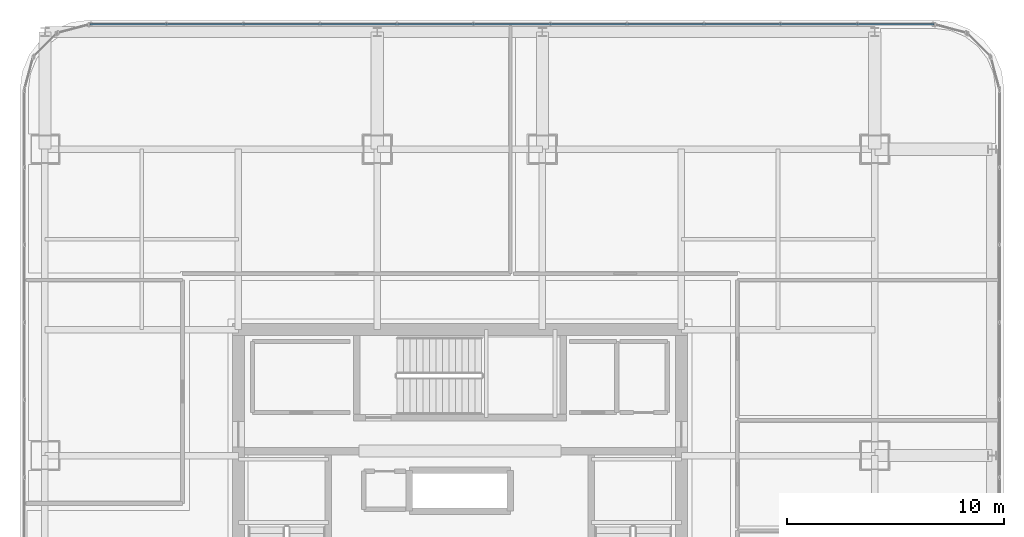
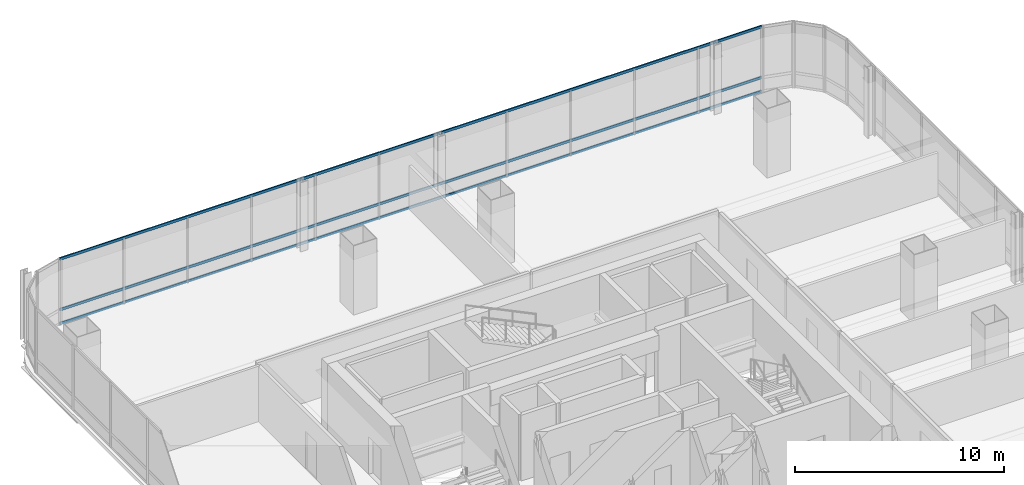
# One storey, part 28 of 39: 3 members, 1 element without a shape of its own.
"""IFC4 building model written with IfcOpenShell, lengths in metres."""

from ifc_helpers import new_model, si_unit, direction, frame, origin, origin_2d, place, context, subcontext, project, spatial, hollow_rectangle, extrude, material, material_profile, profile_set, type_object, element, aggregate, save


model = new_model("IFC4")

# Units and contexts
model_context = context("Model", 3, precision=1e-05, world=origin(), true_north=direction((0.0, 1.0)))
body_context = subcontext(model_context, "Body", "Model", "MODEL_VIEW")
ifc_project = project(units=[si_unit("LENGTHUNIT", "METRE"), si_unit("AREAUNIT", "SQUARE_METRE"), si_unit("VOLUMEUNIT", "CUBIC_METRE"), si_unit("PLANEANGLEUNIT", "RADIAN"), si_unit("MASSUNIT", "GRAM", prefix="KILO")], contexts=[model_context])

# Site, building, storey
site_placement = place(None, origin())
site = spatial("IfcSite", under=ifc_project, at=site_placement, CompositionType="ELEMENT")
building_placement = place(site_placement, origin())
building = spatial("IfcBuilding", under=site, at=building_placement, Name="Punatoya Terracotta Tower", CompositionType="ELEMENT")
storey_placement = place(building_placement, frame((0.0, 0.0, 275.699951171875)))
storey = spatial("IfcBuildingStorey", under=building, at=storey_placement, Name="L65", CompositionType="ELEMENT", Elevation=275.699951171875)

# Curtain wall, members
ifc_material_1 = material(Name="Aluminium 6063-T6 + Double Low-E Glass", Category="aluminium")
curtain_wall_type = type_object("IfcCurtainWallType", Name="CW-M3", PredefinedType="NOTDEFINED", material=ifc_material_1)
curtain_wall_placement = place(storey_placement, origin())
curtain_wall = element("IfcCurtainWall", 1, at=curtain_wall_placement, inside=storey, type_object=curtain_wall_type, Name="L65 Curtain Wall CW-L65-N09-1", PredefinedType="NOTDEFINED")
ifc_material_2 = material(Name="Aluminium 6063-T6", Category="aluminium")
ifc_material_profile = material_profile(ifc_material_2, hollow_rectangle(XDim=0.068115234375, YDim=0.14990234375, WallThickness=0.00390625, at=origin_2d()))
ifc_profile_set = profile_set([ifc_material_profile], Name="Aluminium 6063-T6")
member_type = type_object("IfcMemberType", Name="CW-TRN-TYP", PredefinedType="USERDEFINED", material=ifc_profile_set)
member_1_placement = place(storey_placement, frame((21.8369140625, 23.25, 0.0400390625), z_axis=(-1.0, 0.0, 0.0), x_axis=(0.0, -1.0, 0.0)))
member_1 = element("IfcMember", 2, at=member_1_placement, type_object=member_type, Name="CW-L65-N09-1 Transom 1", ObjectType="TRANSOM", PredefinedType="USERDEFINED", context=body_context, shape_type="SweptSolid", body=[
    extrude(hollow_rectangle(XDim=0.068115234375, YDim=0.14990234375, WallThickness=0.00390625, at=origin_2d()), origin(), (0.0, 0.0, 1.0), 38.873779296875),
])
member_2_placement = place(storey_placement, frame((21.8369140625, 23.25, 0.85009765625), z_axis=(-1.0, 0.0, 0.0), x_axis=(0.0, -1.0, 0.0)))
member_2 = element("IfcMember", 3, at=member_2_placement, type_object=member_type, Name="CW-L65-N09-1 Transom 2", ObjectType="TRANSOM", PredefinedType="USERDEFINED", context=body_context, shape_type="SweptSolid", body=[
    extrude(hollow_rectangle(XDim=0.068115234375, YDim=0.14990234375, WallThickness=0.00390625, at=origin_2d()), origin(), (0.0, 0.0, 1.0), 38.873779296875),
])
member_3_placement = place(storey_placement, frame((21.8369140625, 23.25, 3.81005859375), z_axis=(-1.0, 0.0, 0.0), x_axis=(0.0, -1.0, 0.0)))
member_3 = element("IfcMember", 4, at=member_3_placement, type_object=member_type, Name="CW-L65-N09-1 Transom 3", ObjectType="TRANSOM", PredefinedType="USERDEFINED", context=body_context, shape_type="SweptSolid", body=[
    extrude(hollow_rectangle(XDim=0.068115234375, YDim=0.14990234375, WallThickness=0.00390625, at=origin_2d()), origin(), (0.0, 0.0, 1.0), 38.873779296875),
])
aggregate(curtain_wall, [member_1, member_2, member_3])

save(model, "model.ifc")
